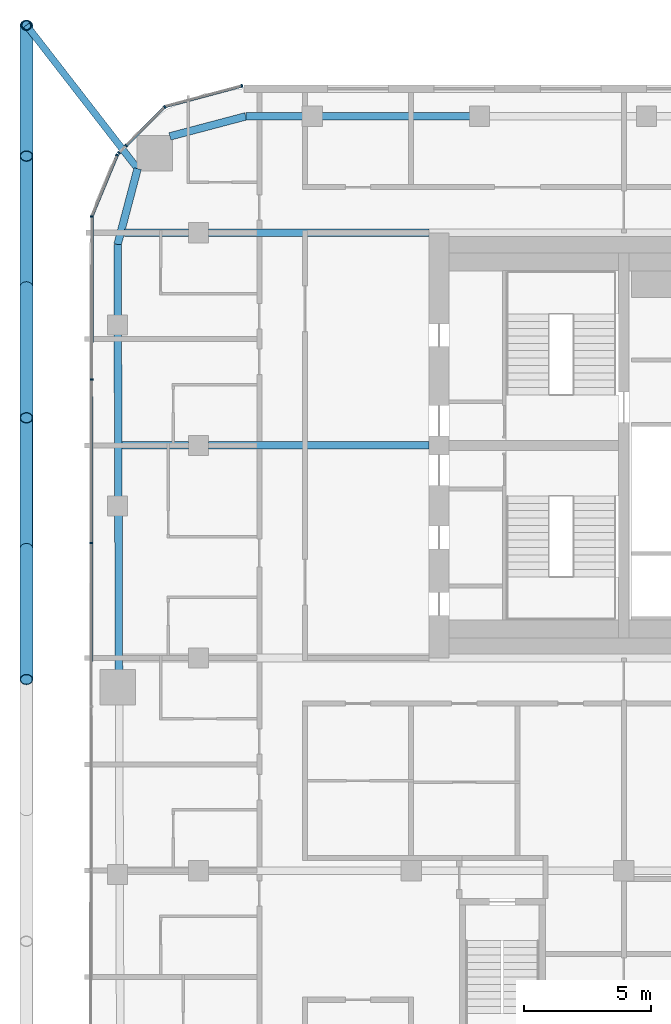
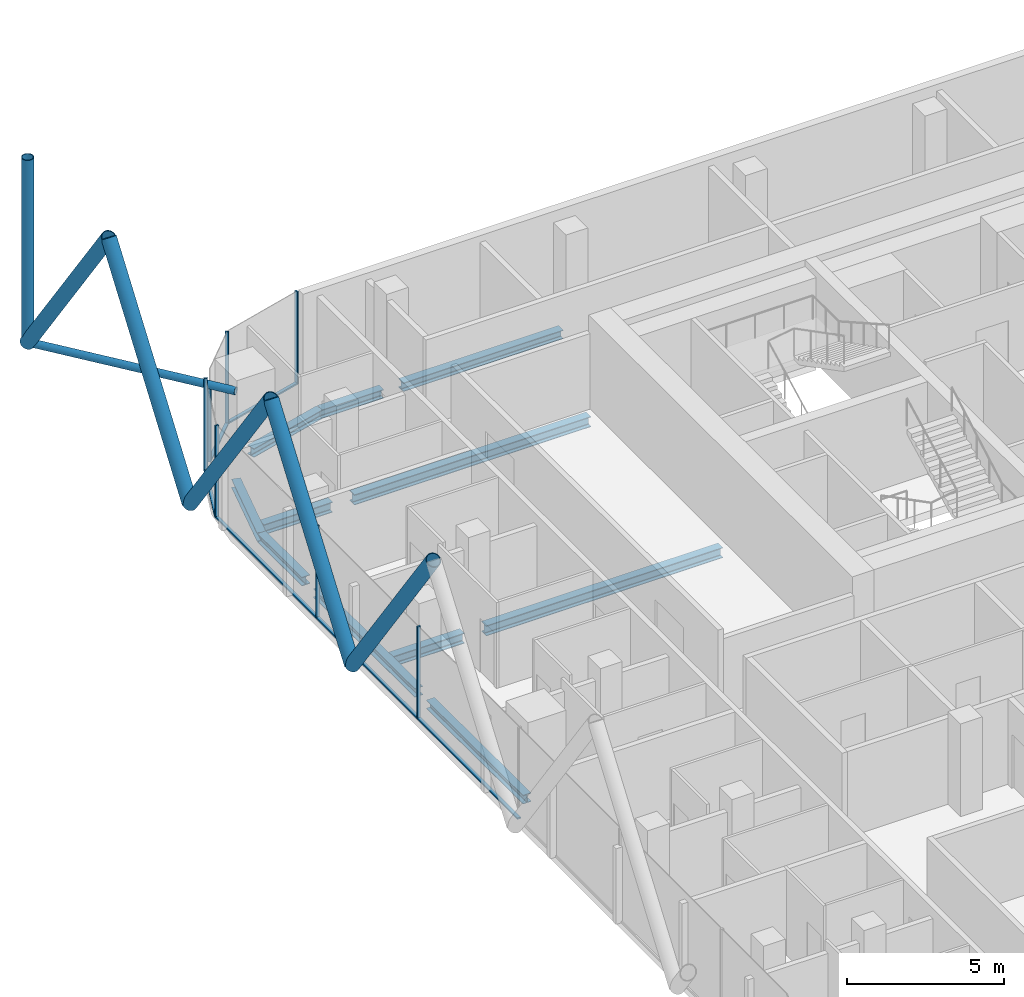
# One storey, part 8 of 28: 21 members, 11 beams, 5 elements without a shape of their own.
"""IFC4 building model written with IfcOpenShell, lengths in metres."""

from ifc_helpers import new_model, si_unit, direction, frame, origin, origin_2d, place, context, subcontext, project, spatial, rectangle, hollow_circle, i_section, extrude, material, layer, layer_set, material_profile, profile_set, type_object, element, aggregate, save


model = new_model("IFC4")

# Units and contexts
model_context = context("Model", 3, precision=1e-05, world=origin(), true_north=direction((0.0, 1.0)))
body_context = subcontext(model_context, "Body", "Model", "MODEL_VIEW")
ifc_project = project(units=[si_unit("LENGTHUNIT", "METRE"), si_unit("AREAUNIT", "SQUARE_METRE"), si_unit("VOLUMEUNIT", "CUBIC_METRE"), si_unit("PLANEANGLEUNIT", "RADIAN"), si_unit("MASSUNIT", "GRAM", prefix="KILO")], contexts=[model_context])

# Site, building, storey
site_placement = place(None, origin())
site = spatial("IfcSite", under=ifc_project, at=site_placement, CompositionType="ELEMENT")
building_placement = place(site_placement, origin())
building = spatial("IfcBuilding", under=site, at=building_placement, Name="Marenta Gate Hotel Tower", CompositionType="ELEMENT")
storey_placement = place(building_placement, frame((0.0, 0.0, 227.300048828125)))
storey = spatial("IfcBuildingStorey", under=building, at=storey_placement, Name="L53", CompositionType="ELEMENT", Elevation=227.300048828125)

# Members
ifc_material_1 = material(Name="Steel S355J2W", Category="steel")
ifc_material_profile_1 = material_profile(ifc_material_1, hollow_circle(Radius=0.203125, WallThickness=0.02490234375, at=origin_2d()), Name="CHS 406.4x25")
ifc_profile_set_1 = profile_set([ifc_material_profile_1], Name="Steel S355J2W")
member_type_1 = type_object("IfcMemberType", Name="Diagrid corner post Z3 CHS 406.4x25", PredefinedType="POST", material=ifc_profile_set_1)
member_1_placement = place(storey_placement, frame((-27.800048828125, 25.0, 3.139892578125), z_axis=(0.0, 0.0, 1.0), x_axis=(1.0, 0.0, 0.0)))
element("IfcMember", 1, at=member_1_placement, inside=storey, type_object=member_type_1, Name="L53-DR-6", PredefinedType="POST", context=body_context, shape_type="SweptSolid", body=[
    extrude(hollow_circle(Radius=0.203125, WallThickness=0.02490234375, at=origin_2d()), origin(), (0.0, 0.0, 1.0), 7.199951171875),
])
ifc_material_2 = material(Name="Steel S355J2W", Category="steel")
ifc_material_profile_2 = material_profile(ifc_material_2, hollow_circle(Radius=0.25390625, WallThickness=0.02490234375, at=origin_2d()), Name="CHS 508x25")
ifc_profile_set_2 = profile_set([ifc_material_profile_2], Name="Steel S355J2W")
member_type_2 = type_object("IfcMemberType", Name="Diagrid diagonal Z3 CHS 508x25", PredefinedType="BRACE", material=ifc_profile_set_2)
member_2_placement = place(storey_placement, frame((-27.800048828125, 4.31982421875, 3.139892578125), z_axis=(0.0, -0.583260841117, 0.812284919975), x_axis=(1.0, 0.0, 0.0)))
element("IfcMember", 2, at=member_2_placement, inside=storey, type_object=member_type_2, Name="L53-DG-30", PredefinedType="BRACE", context=body_context, shape_type="SweptSolid", body=[
    extrude(hollow_circle(Radius=0.25390625, WallThickness=0.02490234375, at=origin_2d()), origin(), (0.0, 0.0, 1.0), 8.86376953125),
])
member_3_placement = place(storey_placement, frame((-27.800048828125, 4.31982421875, 3.139892578125), z_axis=(0.0, 0.583279014058, 0.812271870595), x_axis=(-1.0, 0.0, 0.0)))
element("IfcMember", 3, at=member_3_placement, inside=storey, type_object=member_type_2, Name="L53-DG-31", PredefinedType="BRACE", context=body_context, shape_type="SweptSolid", body=[
    extrude(hollow_circle(Radius=0.25390625, WallThickness=0.02490234375, at=origin_2d()), origin(), (0.0, 0.0, 1.0), 8.864013671875),
])
member_4_placement = place(storey_placement, frame((-27.800048828125, 14.659912109375, 3.139892578125), z_axis=(0.0, -0.583260841117, 0.812284919975), x_axis=(1.0, 0.0, 0.0)))
element("IfcMember", 4, at=member_4_placement, inside=storey, type_object=member_type_2, Name="L53-DG-32", PredefinedType="BRACE", context=body_context, shape_type="SweptSolid", body=[
    extrude(hollow_circle(Radius=0.25390625, WallThickness=0.02490234375, at=origin_2d()), origin(), (0.0, 0.0, 1.0), 8.86376953125),
])
member_5_placement = place(storey_placement, frame((-27.800048828125, 14.659912109375, 3.139892578125), z_axis=(0.0, 0.583279014058, 0.812271870595), x_axis=(-1.0, 0.0, 0.0)))
element("IfcMember", 5, at=member_5_placement, inside=storey, type_object=member_type_2, Name="L53-DG-33", PredefinedType="BRACE", context=body_context, shape_type="SweptSolid", body=[
    extrude(hollow_circle(Radius=0.25390625, WallThickness=0.02490234375, at=origin_2d()), origin(), (0.0, 0.0, 1.0), 8.864013671875),
])
member_6_placement = place(storey_placement, frame((-27.800048828125, 25.0, 3.139892578125), z_axis=(0.0, -0.583260841117, 0.812284919975), x_axis=(1.0, 0.0, 0.0)))
element("IfcMember", 6, at=member_6_placement, inside=storey, type_object=member_type_2, Name="L53-DG-34", PredefinedType="BRACE", context=body_context, shape_type="SweptSolid", body=[
    extrude(hollow_circle(Radius=0.25390625, WallThickness=0.02490234375, at=origin_2d()), origin(), (0.0, 0.0, 1.0), 8.86376953125),
])

# Beams
ifc_material_3 = material(Name="Steel S355", Category="steel")
ifc_material_profile_3 = material_profile(ifc_material_3, i_section(OverallWidth=0.300048828125, OverallDepth=0.340087890625, WebThickness=0.011962890625, FlangeThickness=0.021484375, FilletRadius=0.027099609375, at=origin_2d()), Name="HEB 340")
ifc_profile_set_3 = profile_set([ifc_material_profile_3], Name="Steel S355")
beam_type_1 = type_object("IfcBeamType", Name="Edge beam HEB 340", PredefinedType="SPANDREL", material=ifc_profile_set_3)
beam_1_placement = place(storey_placement, frame((-24.14404296875, -0.489990234375, -0.429931640625), z_axis=(-0.003303859048, 0.999994542243, 0.0), x_axis=(-0.999994542243, -0.003303859048, 0.0)))
element("IfcBeam", 7, at=beam_1_placement, inside=storey, type_object=beam_type_1, Name="L53-EB-8", PredefinedType="SPANDREL", context=body_context, shape_type="SweptSolid", body=[
    extrude(i_section(OverallWidth=0.300048828125, OverallDepth=0.340087890625, WebThickness=0.011962890625, FlangeThickness=0.021484375, FilletRadius=0.027099609375, at=origin_2d()), origin(), (0.0, 0.0, 1.0), 6.13330078125),
])
beam_2_placement = place(storey_placement, frame((-24.166748046875, 6.36328125, -0.429931640625), z_axis=(-0.00333963982, 0.999994423387, 0.0), x_axis=(-0.999994423387, -0.00333963982, 0.0)))
element("IfcBeam", 8, at=beam_2_placement, inside=storey, type_object=beam_type_1, Name="L53-EB-9", PredefinedType="SPANDREL", context=body_context, shape_type="SweptSolid", body=[
    extrude(i_section(OverallWidth=0.300048828125, OverallDepth=0.340087890625, WebThickness=0.011962890625, FlangeThickness=0.021484375, FilletRadius=0.027099609375, at=origin_2d()), origin(), (0.0, 0.0, 1.0), 6.43310546875),
])
beam_3_placement = place(storey_placement, frame((-24.190673828125, 13.516357421875, -0.429931640625), z_axis=(-0.003292020626, 0.999994581285, 0.0), x_axis=(-0.999994581285, -0.003292020626, 0.0)))
element("IfcBeam", 9, at=beam_3_placement, inside=storey, type_object=beam_type_1, Name="L53-EB-10", PredefinedType="SPANDREL", context=body_context, shape_type="SweptSolid", body=[
    extrude(i_section(OverallWidth=0.300048828125, OverallDepth=0.340087890625, WebThickness=0.011962890625, FlangeThickness=0.021484375, FilletRadius=0.027099609375, at=origin_2d()), origin(), (0.0, 0.0, 1.0), 2.818115234375),
])
beam_4_placement = place(storey_placement, frame((-24.199951171875, 16.33447265625, -0.429931640625), z_axis=(0.255648013319, 0.966769927794, 0.0), x_axis=(-0.966769927794, 0.255648013319, 0.0)))
element("IfcBeam", 10, at=beam_4_placement, inside=storey, type_object=beam_type_1, Name="L53-EB-11", PredefinedType="SPANDREL", context=body_context, shape_type="SweptSolid", body=[
    extrude(i_section(OverallWidth=0.300048828125, OverallDepth=0.340087890625, WebThickness=0.011962890625, FlangeThickness=0.021484375, FilletRadius=0.027099609375, at=origin_2d()), origin(), (0.0, 0.0, 1.0), 3.100830078125),
])
beam_5_placement = place(storey_placement, frame((-22.132080078125, 20.607177734375, -0.429931640625), z_axis=(0.9667647815, 0.25566747398, 0.0), x_axis=(-0.25566747398, 0.9667647815, 0.0)))
element("IfcBeam", 11, at=beam_5_placement, inside=storey, type_object=beam_type_1, Name="L53-EB-12", PredefinedType="SPANDREL", context=body_context, shape_type="SweptSolid", body=[
    extrude(i_section(OverallWidth=0.300048828125, OverallDepth=0.340087890625, WebThickness=0.011962890625, FlangeThickness=0.021484375, FilletRadius=0.027099609375, at=origin_2d()), origin(), (0.0, 0.0, 1.0), 3.1005859375),
])
beam_6_placement = place(storey_placement, frame((-19.134521484375, 21.39990234375, -0.429931640625), z_axis=(1.0, 0.0, 0.0), x_axis=(0.0, 1.0, 0.0)))
element("IfcBeam", 12, at=beam_6_placement, inside=storey, type_object=beam_type_1, Name="L53-EB-13", PredefinedType="SPANDREL", context=body_context, shape_type="SweptSolid", body=[
    extrude(i_section(OverallWidth=0.300048828125, OverallDepth=0.340087890625, WebThickness=0.011962890625, FlangeThickness=0.021484375, FilletRadius=0.027099609375, at=origin_2d()), origin(), (0.0, 0.0, 1.0), 2.267578125),
])
beam_7_placement = place(storey_placement, frame((-16.14697265625, 21.39990234375, -0.429931640625), z_axis=(1.0, 0.0, 0.0), x_axis=(0.0, 1.0, 0.0)))
element("IfcBeam", 13, at=beam_7_placement, inside=storey, type_object=beam_type_1, Name="L53-EB-14", PredefinedType="SPANDREL", context=body_context, shape_type="SweptSolid", body=[
    extrude(i_section(OverallWidth=0.300048828125, OverallDepth=0.340087890625, WebThickness=0.011962890625, FlangeThickness=0.021484375, FilletRadius=0.027099609375, at=origin_2d()), origin(), (0.0, 0.0, 1.0), 5.8828125),
])

# Member
ifc_material_4 = material(Name="Steel S355J2W", Category="steel")
ifc_material_profile_4 = material_profile(ifc_material_4, hollow_circle(Radius=0.136474609375, WallThickness=0.012451171875, at=origin_2d()), Name="CHS 273x12.5")
ifc_profile_set_4 = profile_set([ifc_material_profile_4], Name="Steel S355J2W")
member_type_3 = type_object("IfcMemberType", Name="Floor tie CHS 273x12.5", PredefinedType="STRUT", material=ifc_profile_set_4)
member_7_placement = place(storey_placement, frame((-27.800048828125, 25.0, 3.139892578125), z_axis=(0.61259242592, -0.790398962363, 0.0), x_axis=(0.790398962363, 0.61259242592, 0.0)))
element("IfcMember", 14, at=member_7_placement, inside=storey, type_object=member_type_3, Name="L53-DR-12", PredefinedType="STRUT", context=body_context, shape_type="SweptSolid", body=[
    extrude(hollow_circle(Radius=0.136474609375, WallThickness=0.012451171875, at=origin_2d()), origin(), (0.0, 0.0, 1.0), 7.163330078125),
])

# Beams
ifc_material_5 = material(Name="Steel S355", Category="steel")
ifc_material_profile_5 = material_profile(ifc_material_5, i_section(OverallWidth=0.300048828125, OverallDepth=0.39990234375, WebThickness=0.013427734375, FlangeThickness=0.02392578125, FilletRadius=0.027099609375, at=origin_2d()), Name="HEB 400")
ifc_profile_set_5 = profile_set([ifc_material_profile_5], Name="Steel S355")
beam_type_2 = type_object("IfcBeamType", Name="Girder HEB 400", PredefinedType="BEAM", material=ifc_profile_set_5)
beam_8_placement = place(storey_placement, frame((-24.023681640625, 8.39990234375, -0.4599609375), z_axis=(1.0, 0.0, 0.0), x_axis=(0.0, 1.0, 0.0)))
element("IfcBeam", 15, at=beam_8_placement, inside=storey, type_object=beam_type_2, Name="L53-GD-25", PredefinedType="BEAM", context=body_context, shape_type="SweptSolid", body=[
    extrude(i_section(OverallWidth=0.300048828125, OverallDepth=0.39990234375, WebThickness=0.013427734375, FlangeThickness=0.02392578125, FilletRadius=0.027099609375, at=origin_2d()), origin(), (0.0, 0.0, 1.0), 2.623779296875),
])
beam_9_placement = place(storey_placement, frame((-20.60009765625, 8.39990234375, -0.4599609375), z_axis=(1.0, 0.0, 0.0), x_axis=(0.0, 1.0, 0.0)))
element("IfcBeam", 16, at=beam_9_placement, inside=storey, type_object=beam_type_2, Name="L53-GD-26", PredefinedType="BEAM", context=body_context, shape_type="SweptSolid", body=[
    extrude(i_section(OverallWidth=0.300048828125, OverallDepth=0.39990234375, WebThickness=0.013427734375, FlangeThickness=0.02392578125, FilletRadius=0.027099609375, at=origin_2d()), origin(), (0.0, 0.0, 1.0), 8.7001953125),
])
beam_10_placement = place(storey_placement, frame((-23.921630859375, 16.800048828125, -0.4599609375), z_axis=(1.0, 0.0, 0.0), x_axis=(0.0, 1.0, 0.0)))
element("IfcBeam", 17, at=beam_10_placement, inside=storey, type_object=beam_type_2, Name="L53-GD-29", PredefinedType="BEAM", context=body_context, shape_type="SweptSolid", body=[
    extrude(i_section(OverallWidth=0.300048828125, OverallDepth=0.39990234375, WebThickness=0.013427734375, FlangeThickness=0.02392578125, FilletRadius=0.027099609375, at=origin_2d()), origin(), (0.0, 0.0, 1.0), 2.521728515625),
])
beam_11_placement = place(storey_placement, frame((-20.60009765625, 16.800048828125, -0.4599609375), z_axis=(1.0, 0.0, 0.0), x_axis=(0.0, 1.0, 0.0)))
element("IfcBeam", 18, at=beam_11_placement, inside=storey, type_object=beam_type_2, Name="L53-GD-30", PredefinedType="BEAM", context=body_context, shape_type="SweptSolid", body=[
    extrude(i_section(OverallWidth=0.300048828125, OverallDepth=0.39990234375, WebThickness=0.013427734375, FlangeThickness=0.02392578125, FilletRadius=0.027099609375, at=origin_2d()), origin(), (0.0, 0.0, 1.0), 8.7001953125),
])

# Curtain wall, member
ifc_material_6 = material(Name="Tinted insulated glass in bronze anodised frame", Category="glass")
ifc_layer = layer(ifc_material_6, 0.1201171875)
ifc_layer_set = layer_set([ifc_layer], Name="Tinted insulated glass in bronze anodised frame")
curtain_wall_type = type_object("IfcCurtainWallType", Name="Tower unitised curtain wall CW1", PredefinedType="NOTDEFINED", material=ifc_layer_set)
curtain_wall_1_placement = place(storey_placement, origin())
curtain_wall_1 = element("IfcCurtainWall", 19, at=curtain_wall_1_placement, inside=storey, type_object=curtain_wall_type, Name="CW1 run G00", PredefinedType="NOTDEFINED")
ifc_material_7 = material(Name="Bronze anodised aluminium", Category="aluminium")
ifc_material_profile_6 = material_profile(ifc_material_7, rectangle(XDim=0.1201171875, YDim=0.06005859375, at=origin_2d()), Name="Mullion CW1 60x120 bronze anodised aluminium")
ifc_profile_set_6 = profile_set([ifc_material_profile_6], Name="Bronze anodised aluminium")
member_type_4 = type_object("IfcMemberType", Name="Mullion CW1 60x120 bronze anodised aluminium", PredefinedType="MULLION", material=ifc_profile_set_6)
member_8_placement = place(storey_placement, frame((-19.285400390625, 22.603271484375, 0.0), z_axis=(0.0, 0.0, 1.0), x_axis=(0.258801379183, -0.965930559685, 0.0)))
member_8 = element("IfcMember", 20, at=member_8_placement, type_object=member_type_4, Name="CW1 mullion 1", PredefinedType="MULLION", context=body_context, shape_type="SweptSolid", body=[
    extrude(rectangle(XDim=0.1201171875, YDim=0.06005859375, at=origin_2d()), origin(), (0.0, 0.0, 1.0), 3.599853515625),
])

curtain_wall_2_placement = place(storey_placement, origin())
curtain_wall_2 = element("IfcCurtainWall", 21, at=curtain_wall_2_placement, inside=storey, type_object=curtain_wall_type, Name="CW1 run G01", PredefinedType="NOTDEFINED")
member_9_placement = place(storey_placement, frame((-22.334228515625, 21.77099609375, 0.0), z_axis=(0.0, 0.0, 1.0), x_axis=(0.707106781187, -0.707106781187, 0.0)))
member_9 = element("IfcMember", 22, at=member_9_placement, type_object=member_type_4, Name="CW1 mullion 1", PredefinedType="MULLION", context=body_context, shape_type="SweptSolid", body=[
    extrude(rectangle(XDim=0.1201171875, YDim=0.06005859375, at=origin_2d()), origin(), (0.0, 0.0, 1.0), 3.599853515625),
])

# Curtain wall, members
curtain_wall_3_placement = place(storey_placement, origin())
curtain_wall_3 = element("IfcCurtainWall", 23, at=curtain_wall_3_placement, inside=storey, type_object=curtain_wall_type, Name="CW1 run G02", PredefinedType="NOTDEFINED")
member_10_placement = place(storey_placement, frame((-23.86328125, 20.24169921875, 0.0), z_axis=(0.0, 0.0, 1.0), x_axis=(0.707106781187, -0.707106781187, 0.0)))
member_10 = element("IfcMember", 24, at=member_10_placement, type_object=member_type_4, Name="CW1 mullion 1", PredefinedType="MULLION", context=body_context, shape_type="SweptSolid", body=[
    extrude(rectangle(XDim=0.1201171875, YDim=0.06005859375, at=origin_2d()), origin(), (0.0, 0.0, 1.0), 3.00048828125),
])
member_11_placement = place(storey_placement, frame((-24.143798828125, 19.961181640625, 0.0), z_axis=(0.0, 0.0, 1.0), x_axis=(0.707106781187, -0.707106781187, 0.0)))
member_11 = element("IfcMember", 25, at=member_11_placement, type_object=member_type_4, Name="CW1 mullion 2", PredefinedType="MULLION", context=body_context, shape_type="SweptSolid", body=[
    extrude(rectangle(XDim=0.1201171875, YDim=0.06005859375, at=origin_2d()), origin(), (0.0, 0.0, 1.0), 3.00048828125),
])
aggregate(curtain_wall_3, [member_10, member_11])

# Curtain wall, member
curtain_wall_4_placement = place(storey_placement, origin())
curtain_wall_4 = element("IfcCurtainWall", 26, at=curtain_wall_4_placement, inside=storey, type_object=curtain_wall_type, Name="CW1 run G03", PredefinedType="NOTDEFINED")
member_12_placement = place(storey_placement, frame((-24.215087890625, 19.87353515625, 0.0), z_axis=(0.0, 0.0, 1.0), x_axis=(0.923886433266, -0.382666772044, 0.0)))
member_12 = element("IfcMember", 27, at=member_12_placement, type_object=member_type_4, Name="CW1 mullion 1", PredefinedType="MULLION", context=body_context, shape_type="SweptSolid", body=[
    extrude(rectangle(XDim=0.1201171875, YDim=0.06005859375, at=origin_2d()), origin(), (0.0, 0.0, 1.0), 3.599853515625),
])

# Curtain wall, members
curtain_wall_5_placement = place(storey_placement, origin())
curtain_wall_5 = element("IfcCurtainWall", 28, at=curtain_wall_5_placement, inside=storey, type_object=curtain_wall_type, Name="CW1 run G04", PredefinedType="NOTDEFINED")
member_13_placement = place(storey_placement, frame((-25.21240234375, 17.436279296875, 0.0), z_axis=(0.0, 0.0, 1.0), x_axis=(0.99999877375, -0.001566045546, 0.0)))
member_13 = element("IfcMember", 29, at=member_13_placement, type_object=member_type_4, Name="CW1 mullion 1", PredefinedType="MULLION", context=body_context, shape_type="SweptSolid", body=[
    extrude(rectangle(XDim=0.1201171875, YDim=0.06005859375, at=origin_2d()), origin(), (0.0, 0.0, 1.0), 3.599853515625),
])
member_14_placement = place(storey_placement, frame((-25.222412109375, 11.006103515625, 0.0), z_axis=(0.0, 0.0, 1.0), x_axis=(0.99999877375, -0.001566045546, 0.0)))
member_14 = element("IfcMember", 30, at=member_14_placement, type_object=member_type_4, Name="CW1 mullion 2", PredefinedType="MULLION", context=body_context, shape_type="SweptSolid", body=[
    extrude(rectangle(XDim=0.1201171875, YDim=0.06005859375, at=origin_2d()), origin(), (0.0, 0.0, 1.0), 3.599853515625),
])
member_15_placement = place(storey_placement, frame((-25.232421875, 4.546142578125, 0.0), z_axis=(0.0, 0.0, 1.0), x_axis=(0.99999877375, -0.001566045546, 0.0)))
member_15 = element("IfcMember", 31, at=member_15_placement, type_object=member_type_4, Name="CW1 mullion 3", PredefinedType="MULLION", context=body_context, shape_type="SweptSolid", body=[
    extrude(rectangle(XDim=0.1201171875, YDim=0.06005859375, at=origin_2d()), origin(), (0.0, 0.0, 1.0), 3.599853515625),
])

# Member
ifc_material_8 = material(Name="Bronze anodised aluminium", Category="aluminium")
ifc_material_profile_7 = material_profile(ifc_material_8, rectangle(XDim=0.1201171875, YDim=0.06005859375, at=origin_2d()), Name="Transom CW1 60x120 bronze anodised aluminium")
ifc_profile_set_7 = profile_set([ifc_material_profile_7], Name="Bronze anodised aluminium")
member_type_5 = type_object("IfcMemberType", Name="Transom CW1 60x120 bronze anodised aluminium", PredefinedType="USERDEFINED", material=ifc_profile_set_7)
member_16_placement = place(storey_placement, frame((-19.314453125, 22.595458984375, 0.030029296875), z_axis=(-0.965924882171, -0.258822568574, 0.0), x_axis=(0.258822568574, -0.965924882171, 0.0)))
member_16 = element("IfcMember", 32, at=member_16_placement, type_object=member_type_5, Name="CW1 transom 1.1", ObjectType="TRANSOM", PredefinedType="USERDEFINED", context=body_context, shape_type="SweptSolid", body=[
    extrude(rectangle(XDim=0.1201171875, YDim=0.06005859375, at=origin_2d()), origin(), (0.0, 0.0, 1.0), 3.104248046875),
])

aggregate(curtain_wall_1, [member_8, member_16])

member_17_placement = place(storey_placement, frame((-22.355224609375, 21.749755859375, 0.030029296875), z_axis=(-0.707106781187, -0.707106781187, 0.0), x_axis=(0.707106781187, -0.707106781187, 0.0)))
member_17 = element("IfcMember", 33, at=member_17_placement, type_object=member_type_5, Name="CW1 transom 1.1", ObjectType="TRANSOM", PredefinedType="USERDEFINED", context=body_context, shape_type="SweptSolid", body=[
    extrude(rectangle(XDim=0.1201171875, YDim=0.06005859375, at=origin_2d()), origin(), (0.0, 0.0, 1.0), 2.102783203125),
])

aggregate(curtain_wall_2, [member_9, member_17])

member_18_placement = place(storey_placement, frame((-24.2265625, 19.845947265625, 0.030029296875), z_axis=(-0.382736860682, -0.923857399968, 0.0), x_axis=(0.923857399968, -0.382736860682, 0.0)))
member_18 = element("IfcMember", 34, at=member_18_placement, type_object=member_type_5, Name="CW1 transom 1.1", ObjectType="TRANSOM", PredefinedType="USERDEFINED", context=body_context, shape_type="SweptSolid", body=[
    extrude(rectangle(XDim=0.1201171875, YDim=0.06005859375, at=origin_2d()), origin(), (0.0, 0.0, 1.0), 2.57568359375),
])

aggregate(curtain_wall_4, [member_12, member_18])

member_19_placement = place(storey_placement, frame((-25.21240234375, 17.40625, 0.030029296875), z_axis=(-0.00157136093, -0.999998765412, 0.0), x_axis=(0.999998765412, -0.00157136093, 0.0)))
member_19 = element("IfcMember", 35, at=member_19_placement, type_object=member_type_5, Name="CW1 transom 1.1", ObjectType="TRANSOM", PredefinedType="USERDEFINED", context=body_context, shape_type="SweptSolid", body=[
    extrude(rectangle(XDim=0.1201171875, YDim=0.06005859375, at=origin_2d()), origin(), (0.0, 0.0, 1.0), 6.3701171875),
])

member_20_placement = place(storey_placement, frame((-25.222412109375, 10.976318359375, 0.030029296875), z_axis=(-0.001563988169, -0.99999877697, 0.0), x_axis=(0.99999877697, -0.001563988169, 0.0)))
member_20 = element("IfcMember", 36, at=member_20_placement, type_object=member_type_5, Name="CW1 transom 2.1", ObjectType="TRANSOM", PredefinedType="USERDEFINED", context=body_context, shape_type="SweptSolid", body=[
    extrude(rectangle(XDim=0.1201171875, YDim=0.06005859375, at=origin_2d()), origin(), (0.0, 0.0, 1.0), 6.400146484375),
])

member_21_placement = place(storey_placement, frame((-25.232666015625, 4.51611328125, 0.030029296875), z_axis=(-0.001564047831, -0.999998776876, 0.0), x_axis=(0.999998776876, -0.001564047831, 0.0)))
member_21 = element("IfcMember", 37, at=member_21_placement, type_object=member_type_5, Name="CW1 transom 3.1", ObjectType="TRANSOM", PredefinedType="USERDEFINED", context=body_context, shape_type="SweptSolid", body=[
    extrude(rectangle(XDim=0.1201171875, YDim=0.06005859375, at=origin_2d()), origin(), (0.0, 0.0, 1.0), 6.39990234375),
])

aggregate(curtain_wall_5, [member_13, member_14, member_15, member_19, member_20, member_21])

save(model, "model.ifc")
